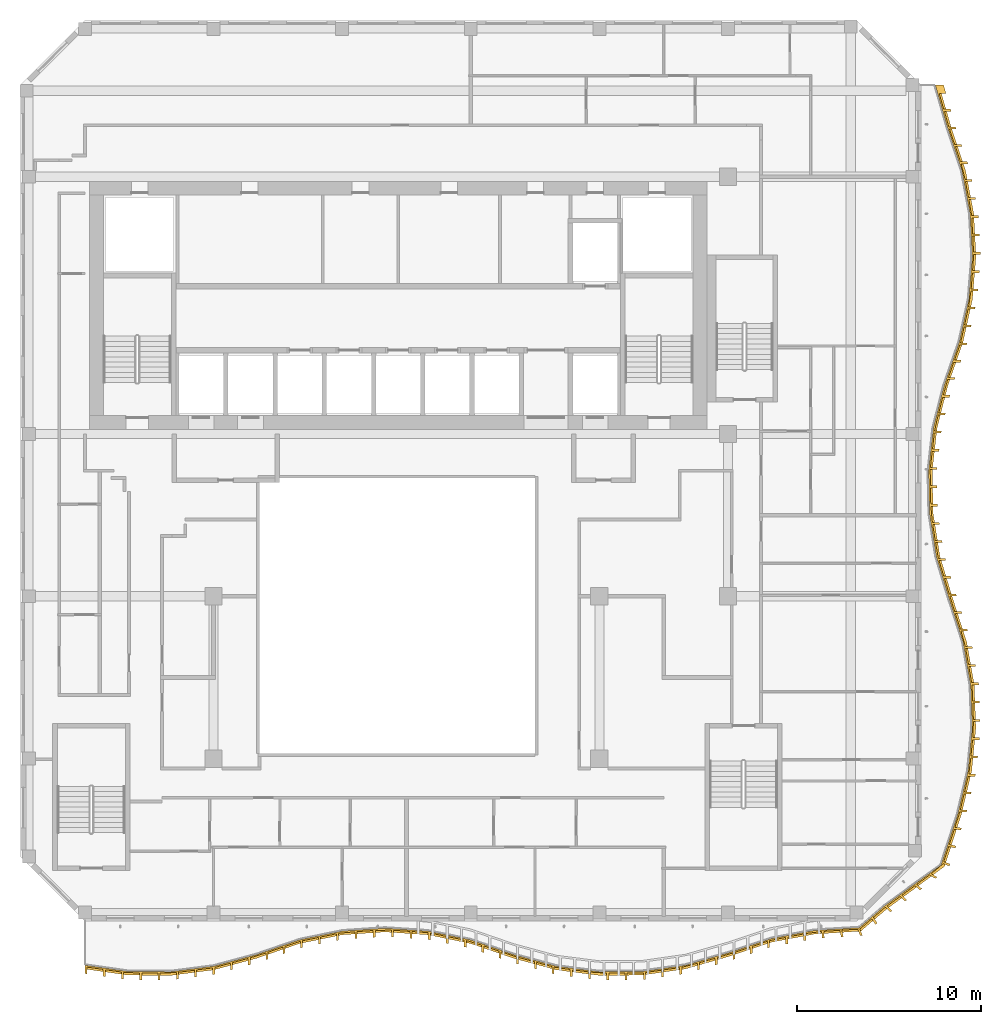
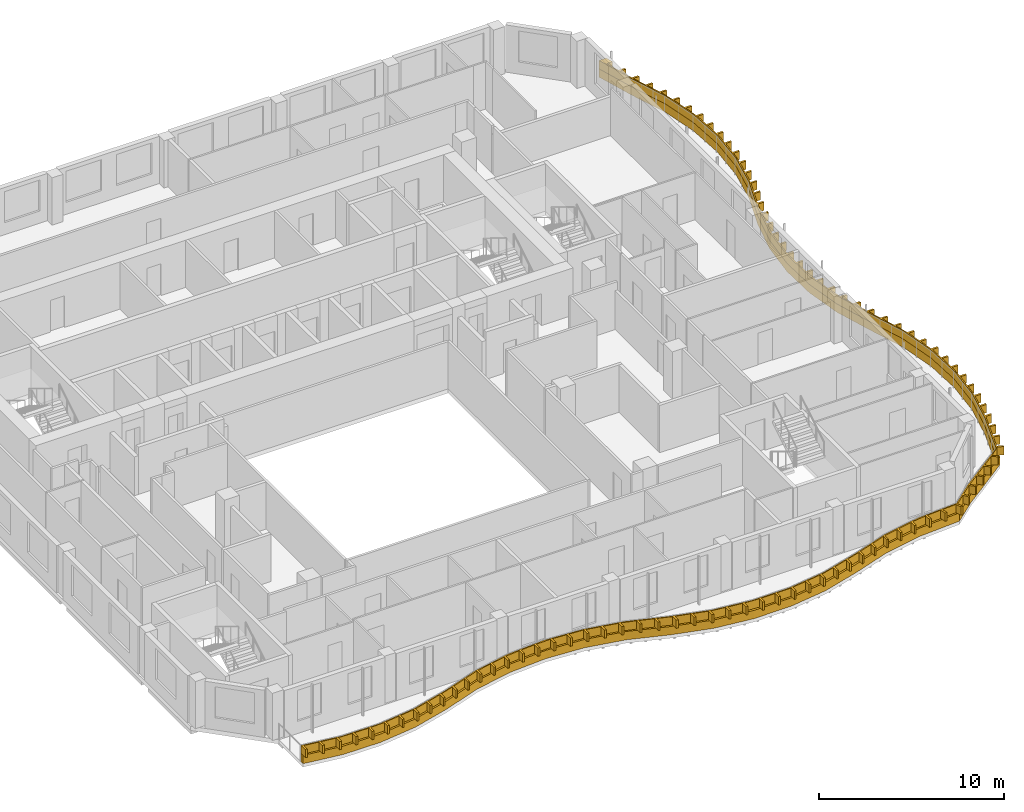
# One storey, part 14 of 18: 2 shading devices.
"""IFC4 building model written with IfcOpenShell, lengths in metres."""

from ifc_helpers import new_model, si_unit, direction, frame, origin, place, context, subcontext, project, spatial, polyline, outline, extrude, source, transform, mapped, material, layer, layer_set, type_object, element, save


model = new_model("IFC4")

# Units and contexts
model_context = context("Model", 3, precision=1e-05, world=origin(), true_north=direction((0.0, 1.0)))
body_context = subcontext(model_context, "Body", "Model", "MODEL_VIEW")
ifc_project = project(units=[si_unit("LENGTHUNIT", "METRE"), si_unit("AREAUNIT", "SQUARE_METRE"), si_unit("VOLUMEUNIT", "CUBIC_METRE"), si_unit("PLANEANGLEUNIT", "RADIAN"), si_unit("MASSUNIT", "GRAM", prefix="KILO")], contexts=[model_context])

# Site, building, storey
site_placement = place(None, origin())
site = spatial("IfcSite", under=ifc_project, at=site_placement, CompositionType="ELEMENT")
building_placement = place(site_placement, origin())
building = spatial("IfcBuilding", under=site, at=building_placement, Name="Kilnfold Tower and Market Hall", CompositionType="ELEMENT")
storey_placement = place(building_placement, frame((0.0, 0.0, 249.199951171875)))
storey = spatial("IfcBuildingStorey", under=building, at=storey_placement, Name="L60", CompositionType="ELEMENT", Elevation=249.199951171875)

# Shading devices
ifc_material_1 = material(Name="Precast concrete C50/60", Category="concrete")
ifc_layer_1 = layer(ifc_material_1, 0.550048828125)
ifc_layer_set_1 = layer_set([ifc_layer_1], Name="Precast concrete C50/60")
shading_device_type_1 = type_object("IfcShadingDeviceType", Name="BALCONY UPSTAND 550", PredefinedType="USERDEFINED", material=ifc_layer_set_1)
shared_shape_1 = source(origin(), body_context, "Body", "SweptSolid", [
    extrude(outline(polyline([(-16.0, -21.117431640625), (-13.666748046875, -21.45166015625), (-11.333251953125, -21.46923828125), (-9.0, -21.1708984375), (-6.666748046875, -20.5400390625), (-4.333251953125, -19.73779296875), (-2.0, -19.257568359375), (0.333251953125, -19.10009765625), (2.666748046875, -19.25634765625), (5.0, -19.735595703125), (7.333251953125, -20.537109375), (9.666748046875, -21.169189453125), (12.0, -21.468505859375), (14.333251953125, -21.452392578125), (16.666748046875, -21.119384765625), (19.0, -20.450439453125), (21.333251953125, -19.669677734375), (23.666748046875, -19.225341796875), (26.230224609375, -19.055908203125), (27.664306640625, -17.830810546875), (29.015625, -16.84912109375), (30.78759765625, -15.533203125), (31.71337890625, -12.666748046875), (32.2666015625, -10.333251953125), (32.49267578125, -8.0), (32.404296875, -5.666748046875), (31.99658203125, -3.333251953125), (31.246826171875, -1.0), (30.538330078125, 1.333251953125), (30.169189453125, 3.666748046875), (30.11767578125, 6.0), (30.381103515625, 8.333251953125), (30.974609375, 10.666748046875), (31.789794921875, 13.0), (32.306396484375, 15.333251953125), (32.498046875, 17.666748046875), (32.375732421875, 20.0), (31.9326171875, 22.333251953125), (31.152587890625, 24.666748046875), (30.482421875, 27.0), (30.282470703125, 27.0), (30.95263671875, 24.666748046875), (31.732666015625, 22.333251953125), (32.17578125, 20.0), (32.298095703125, 17.666748046875), (32.1064453125, 15.333251953125), (31.589599609375, 13.0), (30.774658203125, 10.666748046875), (30.18115234375, 8.333251953125), (29.91748046875, 6.0), (29.968994140625, 3.666748046875), (30.33837890625, 1.333251953125), (31.046875, -1.0), (31.796630859375, -3.333251953125), (32.2041015625, -5.666748046875), (32.29248046875, -8.0), (32.06640625, -10.333251953125), (31.51318359375, -12.666748046875), (30.602783203125, -15.456787109375), (28.874267578125, -16.707763671875), (27.52294921875, -17.689453125), (26.15380859375, -18.87109375), (23.666748046875, -19.025390625), (21.333251953125, -19.4697265625), (19.0, -20.25048828125), (16.666748046875, -20.919189453125), (14.333251953125, -21.252197265625), (12.0, -21.2685546875), (9.666748046875, -20.96923828125), (7.333251953125, -20.337158203125), (5.0, -19.535400390625), (2.666748046875, -19.056396484375), (0.333251953125, -18.89990234375), (-2.0, -19.0576171875), (-4.333251953125, -19.537841796875), (-6.666748046875, -20.340087890625), (-9.0, -20.970947265625), (-11.333251953125, -21.269287109375), (-13.666748046875, -21.251708984375), (-16.0, -20.91748046875), (-16.0, -21.117431640625)])), origin(), (0.0, 0.0, 1.0), 0.550048828125),
])
shading_device_1_placement = place(storey_placement, origin())
element("IfcShadingDevice", 1, at=shading_device_1_placement, inside=storey, type_object=shading_device_type_1, Name="Balcony fascia L60", ObjectType="FASCIA", PredefinedType="USERDEFINED", context=body_context, shape_type="MappedRepresentation", body=[
    mapped(shared_shape_1, transform((0.0, 0.0, 0.0))),
])
ifc_material_2 = material(Name="Bronze anodised aluminium", Category="aluminium")
ifc_layer_2 = layer(ifc_material_2, 0.550048828125)
ifc_layer_set_2 = layer_set([ifc_layer_2], Name="Bronze anodised aluminium")
shading_device_type_2 = type_object("IfcShadingDeviceType", Name="BRONZE SLAT FASCIA 550", PredefinedType="USERDEFINED", material=ifc_layer_set_2)
shared_shape_2 = source(origin(), body_context, "Body", "SweptSolid", [
    extrude(outline(polyline([(-16.0, -21.367431640625), (-16.0, -20.91748046875), (-13.666748046875, -21.251708984375), (-11.333251953125, -21.269287109375), (-9.0, -20.970947265625), (-6.666748046875, -20.340087890625), (-4.333251953125, -19.537841796875), (-2.0, -19.0576171875), (0.333251953125, -18.89990234375), (2.666748046875, -19.056396484375), (5.0, -19.535400390625), (7.333251953125, -20.337158203125), (9.666748046875, -20.96923828125), (12.0, -21.2685546875), (14.333251953125, -21.252197265625), (16.666748046875, -20.919189453125), (19.0, -20.25048828125), (21.333251953125, -19.4697265625), (23.666748046875, -19.025390625), (26.15380859375, -18.87109375), (27.52294921875, -17.689453125), (30.602783203125, -15.456787109375), (31.51318359375, -12.666748046875), (32.06640625, -10.333251953125), (32.29248046875, -8.0), (32.2041015625, -5.666748046875), (31.796630859375, -3.333251953125), (31.046875, -1.0), (30.33837890625, 1.333251953125), (29.968994140625, 3.666748046875), (29.91748046875, 6.0), (30.18115234375, 8.333251953125), (30.774658203125, 10.666748046875), (31.589599609375, 13.0), (32.1064453125, 15.333251953125), (32.298095703125, 17.666748046875), (32.17578125, 20.0), (31.732666015625, 22.333251953125), (30.95263671875, 24.666748046875), (30.282470703125, 27.0), (30.732421875, 27.0), (30.868896484375, 26.525390625), (30.498779296875, 26.525390625), (30.74169921875, 25.679443359375), (31.11181640625, 25.679443359375), (31.14501953125, 25.564208984375), (30.77490234375, 25.564208984375), (31.017822265625, 24.71826171875), (31.387939453125, 24.71826171875), (31.423583984375, 24.603759765625), (31.0537109375, 24.603759765625), (31.332763671875, 23.769287109375), (31.70263671875, 23.769287109375), (31.74072265625, 23.655517578125), (31.37060546875, 23.655517578125), (31.649658203125, 22.82080078125), (32.019775390625, 22.82080078125), (32.0576171875, 22.70703125), (31.687744140625, 22.70703125), (31.9033203125, 21.855712890625), (32.273193359375, 21.855712890625), (32.295654296875, 21.73779296875), (31.92578125, 21.73779296875), (32.08984375, 20.873291015625), (32.4599609375, 20.873291015625), (32.482421875, 20.755615234375), (32.1123046875, 20.755615234375), (32.26171875, 19.88916015625), (32.631591796875, 19.88916015625), (32.637939453125, 19.769287109375), (32.267822265625, 19.769287109375), (32.31396484375, 18.890380859375), (32.68408203125, 18.890380859375), (32.690185546875, 18.770751953125), (32.3203125, 18.770751953125), (32.3662109375, 17.891845703125), (32.736328125, 17.891845703125), (32.74267578125, 17.772216796875), (32.37255859375, 17.772216796875), (32.314697265625, 16.894775390625), (32.684814453125, 16.894775390625), (32.6748046875, 16.775146484375), (32.304931640625, 16.775146484375), (32.23291015625, 15.898193359375), (32.602783203125, 15.898193359375), (32.593017578125, 15.778564453125), (32.222900390625, 15.778564453125), (32.0927734375, 14.910400390625), (32.462646484375, 14.910400390625), (32.436767578125, 14.793212890625), (32.06689453125, 14.793212890625), (31.87646484375, 13.93408203125), (32.24658203125, 13.93408203125), (32.220703125, 13.81689453125), (31.8505859375, 13.81689453125), (31.655517578125, 12.958984375), (32.025390625, 12.958984375), (31.98583984375, 12.845703125), (31.61572265625, 12.845703125), (31.32568359375, 12.014892578125), (31.695556640625, 12.014892578125), (31.656005859375, 11.901611328125), (31.285888671875, 11.901611328125), (30.995849609375, 11.07080078125), (31.36572265625, 11.07080078125), (31.326171875, 10.95751953125), (30.956298828125, 10.95751953125), (30.713623046875, 10.112548828125), (31.08349609375, 10.112548828125), (31.05419921875, 9.99609375), (30.68408203125, 9.99609375), (30.467041015625, 9.143310546875), (30.837158203125, 9.143310546875), (30.8076171875, 9.027099609375), (30.4375, 9.027099609375), (30.24267578125, 8.170166015625), (30.61279296875, 8.170166015625), (30.59912109375, 8.051025390625), (30.229248046875, 8.051025390625), (30.130615234375, 7.176513671875), (30.50048828125, 7.176513671875), (30.487060546875, 7.057373046875), (30.116943359375, 7.057373046875), (30.018310546875, 6.182861328125), (30.38818359375, 6.182861328125), (30.374755859375, 6.063720703125), (30.0048828125, 6.063720703125), (30.015625, 5.18408203125), (30.385498046875, 5.18408203125), (30.38818359375, 5.064208984375), (30.018310546875, 5.064208984375), (30.03759765625, 4.184326171875), (30.40771484375, 4.184326171875), (30.410400390625, 4.064453125), (30.040283203125, 4.064453125), (30.12451171875, 3.1904296875), (30.494384765625, 3.1904296875), (30.51318359375, 3.072021484375), (30.143310546875, 3.072021484375), (30.28076171875, 2.202880859375), (30.650634765625, 2.202880859375), (30.66943359375, 2.084228515625), (30.299560546875, 2.084228515625), (30.453125, 1.21875), (30.822998046875, 1.21875), (30.85791015625, 1.10400390625), (30.488037109375, 1.10400390625), (30.74365234375, 0.261962890625), (31.11376953125, 0.261962890625), (31.1484375, 0.147216796875), (30.778564453125, 0.147216796875), (31.0341796875, -0.69482421875), (31.404296875, -0.69482421875), (31.439208984375, -0.809814453125), (31.069091796875, -0.809814453125), (31.335205078125, -1.6484375), (31.705322265625, -1.6484375), (31.741943359375, -1.7626953125), (31.3720703125, -1.7626953125), (31.64111328125, -2.6005859375), (32.01123046875, -2.6005859375), (32.0478515625, -2.71484375), (31.677978515625, -2.71484375), (31.916259765625, -3.560302734375), (32.2861328125, -3.560302734375), (32.306884765625, -3.678466796875), (31.93701171875, -3.678466796875), (32.08837890625, -4.54541015625), (32.458251953125, -4.54541015625), (32.47900390625, -4.66357421875), (32.10888671875, -4.66357421875), (32.260498046875, -5.530517578125), (32.63037109375, -5.530517578125), (32.65087890625, -5.648681640625), (32.281005859375, -5.648681640625), (32.31689453125, -6.527587890625), (32.686767578125, -6.527587890625), (32.69140625, -6.647705078125), (32.3212890625, -6.647705078125), (32.354736328125, -7.527099609375), (32.724609375, -7.527099609375), (32.729248046875, -7.64697265625), (32.359130859375, -7.64697265625), (32.32177734375, -8.524169921875), (32.69189453125, -8.524169921875), (32.68017578125, -8.643798828125), (32.310302734375, -8.643798828125), (32.225341796875, -9.51953125), (32.595458984375, -9.51953125), (32.583740234375, -9.638916015625), (32.2138671875, -9.638916015625), (32.1044921875, -10.5107421875), (32.474365234375, -10.5107421875), (32.44677734375, -10.627685546875), (32.07666015625, -10.627685546875), (31.873779296875, -11.48388671875), (32.24365234375, -11.48388671875), (32.216064453125, -11.6005859375), (31.845947265625, -11.6005859375), (31.64306640625, -12.456787109375), (32.012939453125, -12.456787109375), (31.9853515625, -12.57373046875), (31.615478515625, -12.57373046875), (31.352783203125, -13.40087890625), (31.71728515625, -13.43798828125), (31.6796875, -13.555908203125), (31.316162109375, -13.51318359375), (31.048095703125, -14.3369140625), (31.40380859375, -14.42138671875), (31.365966796875, -14.539306640625), (31.01171875, -14.44921875), (30.745361328125, -15.273681640625), (31.090087890625, -15.40478515625), (31.052490234375, -15.522705078125), (30.709228515625, -15.385986328125), (30.064208984375, -15.93310546875), (30.3798828125, -16.11767578125), (30.280517578125, -16.193603515625), (29.968994140625, -16.002197265625), (29.273681640625, -16.51171875), (29.552490234375, -16.75048828125), (29.453125, -16.826416015625), (29.17919921875, -16.581298828125), (28.4736328125, -17.096435546875), (28.7353515625, -17.35791015625), (28.63818359375, -17.428466796875), (28.376708984375, -17.1669921875), (27.664794921875, -17.68408203125), (27.92626953125, -17.94580078125), (27.829345703125, -18.017578125), (27.568603515625, -17.75537109375), (26.91650390625, -18.31298828125), (27.122314453125, -18.614501953125), (27.02587890625, -18.69580078125), (26.82763671875, -18.38916015625), (26.176025390625, -18.945556640625), (26.317138671875, -19.28759765625), (26.19287109375, -19.29638671875), (26.05810546875, -18.95263671875), (25.195556640625, -19.005859375), (25.281982421875, -19.36083984375), (25.15771484375, -19.36962890625), (25.077880859375, -19.01318359375), (24.2158203125, -19.06884765625), (24.2470703125, -19.43408203125), (24.122802734375, -19.443115234375), (24.098388671875, -19.076416015625), (23.235107421875, -19.1875), (23.235107421875, -19.5576171875), (23.1171875, -19.580078125), (23.1171875, -19.2099609375), (22.252685546875, -19.37451171875), (22.252685546875, -19.74462890625), (22.134765625, -19.76708984375), (22.134765625, -19.39697265625), (21.272705078125, -19.570068359375), (21.272705078125, -19.93994140625), (21.15869140625, -19.97802734375), (21.15869140625, -19.608154296875), (20.32421875, -19.887451171875), (20.32421875, -20.25732421875), (20.21044921875, -20.29541015625), (20.21044921875, -19.92529296875), (19.3759765625, -20.20458984375), (19.3759765625, -20.57470703125), (19.26220703125, -20.61279296875), (19.26220703125, -20.242919921875), (18.419921875, -20.496826171875), (18.419921875, -20.86669921875), (18.304443359375, -20.89990234375), (18.304443359375, -20.52978515625), (17.45849609375, -20.772216796875), (17.45849609375, -21.142333984375), (17.343017578125, -21.17529296875), (17.343017578125, -20.805419921875), (16.4921875, -21.024169921875), (16.4921875, -21.394287109375), (16.373291015625, -21.4111328125), (16.373291015625, -21.041259765625), (15.502197265625, -21.16552734375), (15.502197265625, -21.535400390625), (15.38330078125, -21.552490234375), (15.38330078125, -21.182373046875), (14.51220703125, -21.306884765625), (14.51220703125, -21.6767578125), (14.393310546875, -21.693603515625), (14.393310546875, -21.32373046875), (13.513916015625, -21.337890625), (13.513916015625, -21.7080078125), (13.39404296875, -21.708984375), (13.39404296875, -21.3388671875), (12.51416015625, -21.344970703125), (12.51416015625, -21.715087890625), (12.39404296875, -21.7158203125), (12.39404296875, -21.345703125), (11.51806640625, -21.286865234375), (11.51806640625, -21.65673828125), (11.39892578125, -21.6416015625), (11.39892578125, -21.271484375), (10.526123046875, -21.159423828125), (10.526123046875, -21.529541015625), (10.406982421875, -21.514404296875), (10.406982421875, -21.144287109375), (9.537841796875, -21.014404296875), (9.537841796875, -21.384521484375), (9.422119140625, -21.35302734375), (9.422119140625, -20.98291015625), (8.572509765625, -20.7529296875), (8.572509765625, -21.122802734375), (8.456787109375, -21.091552734375), (8.456787109375, -20.721435546875), (7.607421875, -20.491455078125), (7.607421875, -20.861328125), (7.49169921875, -20.830078125), (7.49169921875, -20.4599609375), (6.65625, -20.1845703125), (6.65625, -20.554443359375), (6.542724609375, -20.515380859375), (6.542724609375, -20.1455078125), (5.71044921875, -19.859619140625), (5.71044921875, -20.2294921875), (5.596923828125, -20.190673828125), (5.596923828125, -19.820556640625), (4.75634765625, -19.5654296875), (4.75634765625, -19.935546875), (4.638671875, -19.911376953125), (4.638671875, -19.541259765625), (3.776611328125, -19.3642578125), (3.776611328125, -19.734375), (3.6591796875, -19.710205078125), (3.6591796875, -19.340087890625), (2.797119140625, -19.1630859375), (2.797119140625, -19.533203125), (2.6796875, -19.509033203125), (2.6796875, -19.138916015625), (1.8017578125, -19.078369140625), (1.8017578125, -19.448486328125), (1.68212890625, -19.4404296875), (1.68212890625, -19.0703125), (0.803955078125, -19.01171875), (0.803955078125, -19.381591796875), (0.684326171875, -19.37353515625), (0.684326171875, -19.00341796875), (-0.193603515625, -19.015625), (-0.193603515625, -19.385498046875), (-0.3134765625, -19.393798828125), (-0.3134765625, -19.023681640625), (-1.19140625, -19.0830078125), (-1.19140625, -19.452880859375), (-1.311279296875, -19.461181640625), (-1.311279296875, -19.091064453125), (-2.185791015625, -19.17578125), (-2.185791015625, -19.5458984375), (-2.30322265625, -19.570068359375), (-2.30322265625, -19.199951171875), (-3.165283203125, -19.37744140625), (-3.165283203125, -19.747314453125), (-3.28271484375, -19.771484375), (-3.28271484375, -19.401611328125), (-4.14453125, -19.5791015625), (-4.14453125, -19.94921875), (-4.26220703125, -19.973388671875), (-4.26220703125, -19.603271484375), (-5.0966796875, -19.88037109375), (-5.0966796875, -20.25048828125), (-5.210205078125, -20.289306640625), (-5.210205078125, -19.91943359375), (-6.04248046875, -20.20556640625), (-6.04248046875, -20.575439453125), (-6.156005859375, -20.614501953125), (-6.156005859375, -20.244384765625), (-6.994873046875, -20.5087890625), (-6.994873046875, -20.87890625), (-7.110595703125, -20.91015625), (-7.110595703125, -20.5400390625), (-7.960205078125, -20.769775390625), (-7.960205078125, -21.139892578125), (-8.075927734375, -21.171142578125), (-8.075927734375, -20.80126953125), (-8.925537109375, -21.031005859375), (-8.925537109375, -21.40087890625), (-9.0, -21.4208984375), (-9.04248046875, -21.426513671875), (-9.04248046875, -21.056396484375), (-9.915283203125, -21.16796875), (-9.915283203125, -21.5380859375), (-10.034423828125, -21.55322265625), (-10.034423828125, -21.18310546875), (-10.9072265625, -21.294921875), (-10.9072265625, -21.664794921875), (-11.0263671875, -21.679931640625), (-11.0263671875, -21.31005859375), (-11.90380859375, -21.344970703125), (-11.90380859375, -21.71484375), (-12.023681640625, -21.714111328125), (-12.023681640625, -21.343994140625), (-12.90380859375, -21.33740234375), (-12.90380859375, -21.70751953125), (-13.023681640625, -21.706298828125), (-13.023681640625, -21.33642578125), (-13.9013671875, -21.298095703125), (-13.9013671875, -21.66796875), (-14.020263671875, -21.65087890625), (-14.020263671875, -21.281005859375), (-14.891357421875, -21.15625), (-14.891357421875, -21.5263671875), (-15.010009765625, -21.50927734375), (-15.010009765625, -21.13916015625), (-15.881103515625, -21.014404296875), (-15.881103515625, -21.384521484375), (-16.0, -21.367431640625)])), origin(), (0.0, 0.0, 1.0), 0.550048828125),
])
shading_device_2_placement = place(storey_placement, frame((0.0, 0.0, 0.550048828125)))
element("IfcShadingDevice", 2, at=shading_device_2_placement, inside=storey, type_object=shading_device_type_2, Name="Balcony slat fascia L60", ObjectType="SLAT", PredefinedType="USERDEFINED", context=body_context, shape_type="MappedRepresentation", body=[
    mapped(shared_shape_2, transform((0.0, 0.0, 0.0))),
])

save(model, "model.ifc")
